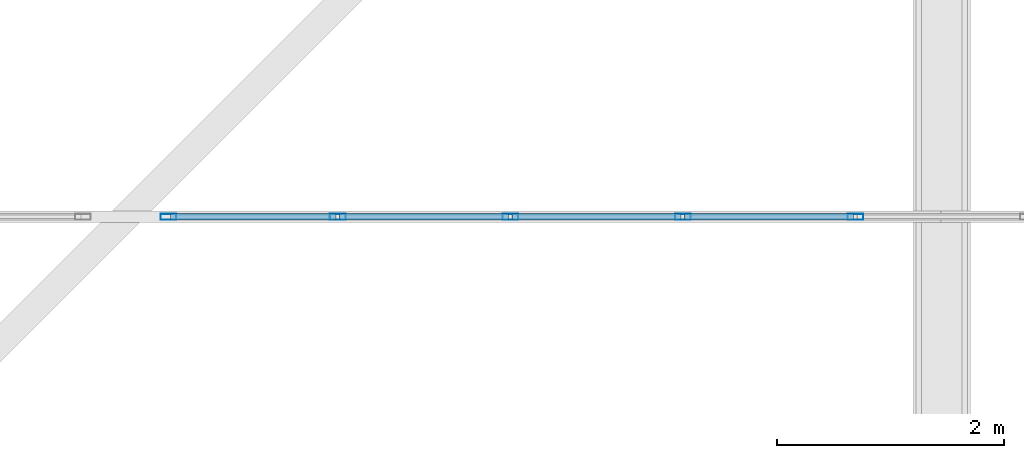
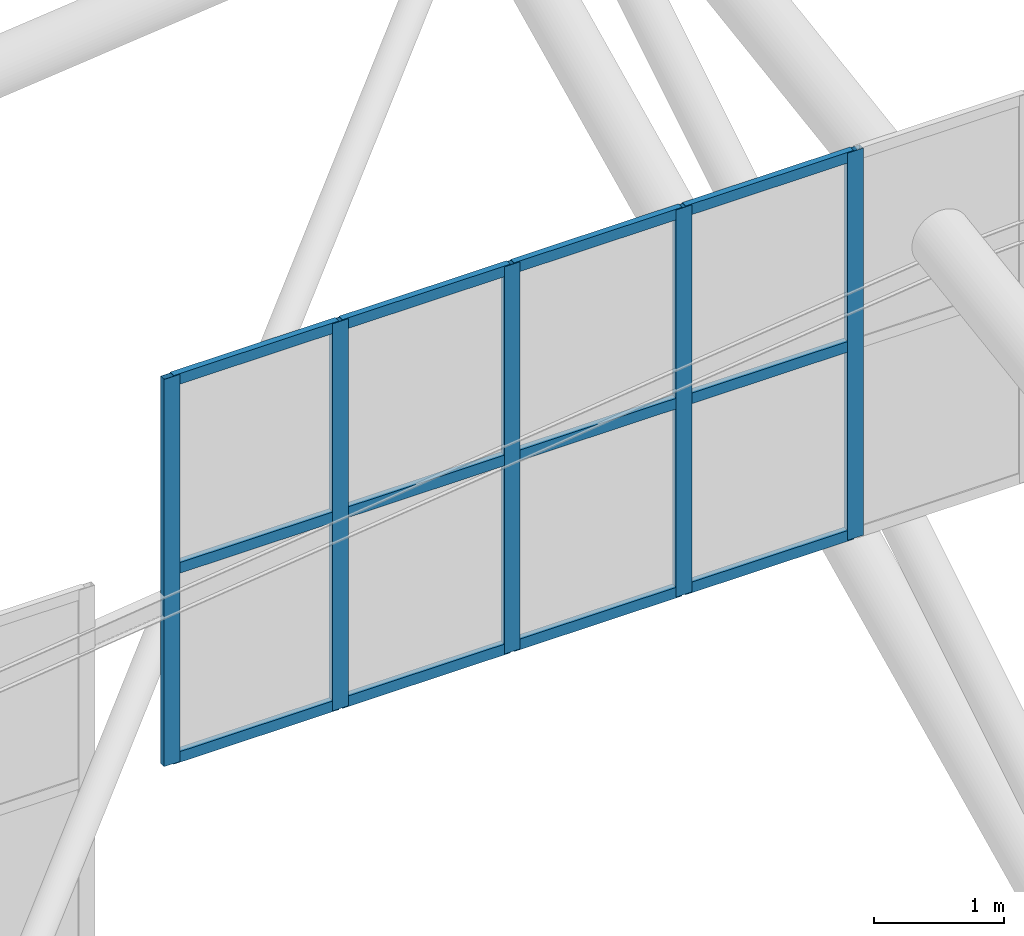
# One storey, part 32 of 397: 17 members, 1 element without a shape of its own.
"""IFC4 building model written with IfcOpenShell, lengths in metres."""

from ifc_helpers import new_model, si_unit, direction, frame, origin, origin_2d, place, context, subcontext, project, spatial, hollow_rectangle, extrude, material, material_profile, profile_set, type_object, element, aggregate, save


model = new_model("IFC4")

# Units and contexts
model_context = context("Model", 3, precision=1e-05, world=origin(), true_north=direction((0.0, 1.0)))
body_context = subcontext(model_context, "Body", "Model", "MODEL_VIEW")
ifc_project = project(units=[si_unit("LENGTHUNIT", "METRE"), si_unit("AREAUNIT", "SQUARE_METRE"), si_unit("VOLUMEUNIT", "CUBIC_METRE"), si_unit("PLANEANGLEUNIT", "RADIAN"), si_unit("MASSUNIT", "GRAM", prefix="KILO")], contexts=[model_context])

# Site, building, storey
site_placement = place(None, origin())
site = spatial("IfcSite", under=ifc_project, at=site_placement, CompositionType="ELEMENT")
building_placement = place(site_placement, origin())
building = spatial("IfcBuilding", under=site, at=building_placement, Name="Qandorah Velis Arena", CompositionType="ELEMENT")
storey_placement = place(building_placement, frame((0.0, 0.0, 27.5)))
storey = spatial("IfcBuildingStorey", under=building, at=storey_placement, Name="RF", CompositionType="ELEMENT", Elevation=27.5)

# Curtain wall, members
ifc_material_1 = material(Name="Solar-control low-E double glazing", Category="glass")
curtain_wall_type = type_object("IfcCurtainWallType", Name="ARC-CW-SYS20", PredefinedType="USERDEFINED", material=ifc_material_1)
curtain_wall_placement = place(storey_placement, origin())
curtain_wall = element("IfcCurtainWall", 1, at=curtain_wall_placement, inside=storey, type_object=curtain_wall_type, Name="Unitised curtain wall MON-3-2", ObjectType="UNITISED CURTAIN WALL", PredefinedType="USERDEFINED")
ifc_material_2 = material(Name="Champagne-bronze anodized aluminium 6063-T6", Category="aluminium")
ifc_material_profile_1 = material_profile(ifc_material_2, hollow_rectangle(XDim=0.054931640625, YDim=0.139892578125, WallThickness=0.0029296875, at=origin_2d()), Name="ALU MULLION 55x140")
ifc_profile_set_1 = profile_set([ifc_material_profile_1], Name="Champagne-bronze anodized aluminium 6063-T6")
member_type_1 = type_object("IfcMemberType", Name="ARC-CWM-140", PredefinedType="MULLION", material=ifc_profile_set_1)
member_1_placement = place(storey_placement, frame((36.37744140625, 21.60009765625, 5.337646484375), z_axis=(0.0, 0.0, 1.0), x_axis=(0.0, 1.0, 0.0)))
member_1 = element("IfcMember", 2, at=member_1_placement, type_object=member_type_1, Name="CW20 mullion 1", PredefinedType="MULLION", context=body_context, shape_type="SweptSolid", body=[
    extrude(hollow_rectangle(XDim=0.054931640625, YDim=0.139892578125, WallThickness=0.0029296875, at=origin_2d()), origin(), (0.0, 0.0, 1.0), 3.630126953125),
])
member_2_placement = place(storey_placement, frame((37.872314453125, 21.60009765625, 5.337646484375), z_axis=(0.0, 0.0, 1.0), x_axis=(0.0, 1.0, 0.0)))
member_2 = element("IfcMember", 3, at=member_2_placement, type_object=member_type_1, Name="CW20 mullion 2", PredefinedType="MULLION", context=body_context, shape_type="SweptSolid", body=[
    extrude(hollow_rectangle(XDim=0.054931640625, YDim=0.139892578125, WallThickness=0.0029296875, at=origin_2d()), origin(), (0.0, 0.0, 1.0), 3.630126953125),
])
member_3_placement = place(storey_placement, frame((39.39453125, 21.60009765625, 5.337646484375), z_axis=(0.0, 0.0, 1.0), x_axis=(0.0, 1.0, 0.0)))
member_3 = element("IfcMember", 4, at=member_3_placement, type_object=member_type_1, Name="CW20 mullion 3", PredefinedType="MULLION", context=body_context, shape_type="SweptSolid", body=[
    extrude(hollow_rectangle(XDim=0.054931640625, YDim=0.139892578125, WallThickness=0.0029296875, at=origin_2d()), origin(), (0.0, 0.0, 1.0), 3.630126953125),
])
member_4_placement = place(storey_placement, frame((40.916748046875, 21.60009765625, 5.337646484375), z_axis=(0.0, 0.0, 1.0), x_axis=(0.0, 1.0, 0.0)))
member_4 = element("IfcMember", 5, at=member_4_placement, type_object=member_type_1, Name="CW20 mullion 4", PredefinedType="MULLION", context=body_context, shape_type="SweptSolid", body=[
    extrude(hollow_rectangle(XDim=0.054931640625, YDim=0.139892578125, WallThickness=0.0029296875, at=origin_2d()), origin(), (0.0, 0.0, 1.0), 3.630126953125),
])
member_5_placement = place(storey_placement, frame((42.43896484375, 21.60009765625, 5.337646484375), z_axis=(0.0, 0.0, 1.0), x_axis=(0.0, 1.0, 0.0)))
member_5 = element("IfcMember", 6, at=member_5_placement, type_object=member_type_1, Name="CW20 mullion 5", PredefinedType="MULLION", context=body_context, shape_type="SweptSolid", body=[
    extrude(hollow_rectangle(XDim=0.054931640625, YDim=0.139892578125, WallThickness=0.0029296875, at=origin_2d()), origin(), (0.0, 0.0, 1.0), 3.630126953125),
])
ifc_material_profile_2 = material_profile(ifc_material_2, hollow_rectangle(XDim=0.054931640625, YDim=0.10009765625, WallThickness=0.0029296875, at=origin_2d()), Name="ALU TRANSOM 55x100")
ifc_profile_set_2 = profile_set([ifc_material_profile_2], Name="Champagne-bronze anodized aluminium 6063-T6")
member_type_2 = type_object("IfcMemberType", Name="ARC-CWT-100", PredefinedType="USERDEFINED", material=ifc_profile_set_2)
member_6_placement = place(storey_placement, frame((36.39306640625, 21.60009765625, 5.380126953125), z_axis=(1.0, 0.0, 0.0), x_axis=(0.0, 1.0, 0.0)))
member_6 = element("IfcMember", 7, at=member_6_placement, type_object=member_type_2, Name="CW20 transom 1.1", ObjectType="TRANSOM", PredefinedType="USERDEFINED", context=body_context, shape_type="SweptSolid", body=[
    extrude(hollow_rectangle(XDim=0.054931640625, YDim=0.10009765625, WallThickness=0.0029296875, at=origin_2d()), origin(), (0.0, 0.0, 1.0), 1.463623046875),
])
member_7_placement = place(storey_placement, frame((36.39306640625, 21.60009765625, 7.152587890625), z_axis=(1.0, 0.0, 0.0), x_axis=(0.0, 1.0, 0.0)))
member_7 = element("IfcMember", 8, at=member_7_placement, type_object=member_type_2, Name="CW20 transom 1.2", ObjectType="TRANSOM", PredefinedType="USERDEFINED", context=body_context, shape_type="SweptSolid", body=[
    extrude(hollow_rectangle(XDim=0.054931640625, YDim=0.10009765625, WallThickness=0.0029296875, at=origin_2d()), origin(), (0.0, 0.0, 1.0), 1.463623046875),
])
member_8_placement = place(storey_placement, frame((36.39306640625, 21.60009765625, 8.92529296875), z_axis=(1.0, 0.0, 0.0), x_axis=(0.0, 1.0, 0.0)))
member_8 = element("IfcMember", 9, at=member_8_placement, type_object=member_type_2, Name="CW20 transom 1.3", ObjectType="TRANSOM", PredefinedType="USERDEFINED", context=body_context, shape_type="SweptSolid", body=[
    extrude(hollow_rectangle(XDim=0.054931640625, YDim=0.10009765625, WallThickness=0.0029296875, at=origin_2d()), origin(), (0.0, 0.0, 1.0), 1.463623046875),
])
member_9_placement = place(storey_placement, frame((37.8876953125, 21.60009765625, 5.380126953125), z_axis=(1.0, 0.0, 0.0), x_axis=(0.0, 1.0, 0.0)))
member_9 = element("IfcMember", 10, at=member_9_placement, type_object=member_type_2, Name="CW20 transom 2.1", ObjectType="TRANSOM", PredefinedType="USERDEFINED", context=body_context, shape_type="SweptSolid", body=[
    extrude(hollow_rectangle(XDim=0.054931640625, YDim=0.10009765625, WallThickness=0.0029296875, at=origin_2d()), origin(), (0.0, 0.0, 1.0), 1.4912109375),
])
member_10_placement = place(storey_placement, frame((37.8876953125, 21.60009765625, 7.152587890625), z_axis=(1.0, 0.0, 0.0), x_axis=(0.0, 1.0, 0.0)))
member_10 = element("IfcMember", 11, at=member_10_placement, type_object=member_type_2, Name="CW20 transom 2.2", ObjectType="TRANSOM", PredefinedType="USERDEFINED", context=body_context, shape_type="SweptSolid", body=[
    extrude(hollow_rectangle(XDim=0.054931640625, YDim=0.10009765625, WallThickness=0.0029296875, at=origin_2d()), origin(), (0.0, 0.0, 1.0), 1.4912109375),
])
member_11_placement = place(storey_placement, frame((37.8876953125, 21.60009765625, 8.92529296875), z_axis=(1.0, 0.0, 0.0), x_axis=(0.0, 1.0, 0.0)))
member_11 = element("IfcMember", 12, at=member_11_placement, type_object=member_type_2, Name="CW20 transom 2.3", ObjectType="TRANSOM", PredefinedType="USERDEFINED", context=body_context, shape_type="SweptSolid", body=[
    extrude(hollow_rectangle(XDim=0.054931640625, YDim=0.10009765625, WallThickness=0.0029296875, at=origin_2d()), origin(), (0.0, 0.0, 1.0), 1.4912109375),
])
member_12_placement = place(storey_placement, frame((39.409912109375, 21.60009765625, 5.380126953125), z_axis=(1.0, 0.0, 0.0), x_axis=(0.0, 1.0, 0.0)))
member_12 = element("IfcMember", 13, at=member_12_placement, type_object=member_type_2, Name="CW20 transom 3.1", ObjectType="TRANSOM", PredefinedType="USERDEFINED", context=body_context, shape_type="SweptSolid", body=[
    extrude(hollow_rectangle(XDim=0.054931640625, YDim=0.10009765625, WallThickness=0.0029296875, at=origin_2d()), origin(), (0.0, 0.0, 1.0), 1.4912109375),
])
member_13_placement = place(storey_placement, frame((39.409912109375, 21.60009765625, 7.152587890625), z_axis=(1.0, 0.0, 0.0), x_axis=(0.0, 1.0, 0.0)))
member_13 = element("IfcMember", 14, at=member_13_placement, type_object=member_type_2, Name="CW20 transom 3.2", ObjectType="TRANSOM", PredefinedType="USERDEFINED", context=body_context, shape_type="SweptSolid", body=[
    extrude(hollow_rectangle(XDim=0.054931640625, YDim=0.10009765625, WallThickness=0.0029296875, at=origin_2d()), origin(), (0.0, 0.0, 1.0), 1.4912109375),
])
member_14_placement = place(storey_placement, frame((39.409912109375, 21.60009765625, 8.92529296875), z_axis=(1.0, 0.0, 0.0), x_axis=(0.0, 1.0, 0.0)))
member_14 = element("IfcMember", 15, at=member_14_placement, type_object=member_type_2, Name="CW20 transom 3.3", ObjectType="TRANSOM", PredefinedType="USERDEFINED", context=body_context, shape_type="SweptSolid", body=[
    extrude(hollow_rectangle(XDim=0.054931640625, YDim=0.10009765625, WallThickness=0.0029296875, at=origin_2d()), origin(), (0.0, 0.0, 1.0), 1.4912109375),
])
member_15_placement = place(storey_placement, frame((40.93212890625, 21.60009765625, 5.380126953125), z_axis=(1.0, 0.0, 0.0), x_axis=(0.0, 1.0, 0.0)))
member_15 = element("IfcMember", 16, at=member_15_placement, type_object=member_type_2, Name="CW20 transom 4.1", ObjectType="TRANSOM", PredefinedType="USERDEFINED", context=body_context, shape_type="SweptSolid", body=[
    extrude(hollow_rectangle(XDim=0.054931640625, YDim=0.10009765625, WallThickness=0.0029296875, at=origin_2d()), origin(), (0.0, 0.0, 1.0), 1.4912109375),
])
member_16_placement = place(storey_placement, frame((40.93212890625, 21.60009765625, 7.152587890625), z_axis=(1.0, 0.0, 0.0), x_axis=(0.0, 1.0, 0.0)))
member_16 = element("IfcMember", 17, at=member_16_placement, type_object=member_type_2, Name="CW20 transom 4.2", ObjectType="TRANSOM", PredefinedType="USERDEFINED", context=body_context, shape_type="SweptSolid", body=[
    extrude(hollow_rectangle(XDim=0.054931640625, YDim=0.10009765625, WallThickness=0.0029296875, at=origin_2d()), origin(), (0.0, 0.0, 1.0), 1.4912109375),
])
member_17_placement = place(storey_placement, frame((40.93212890625, 21.60009765625, 8.92529296875), z_axis=(1.0, 0.0, 0.0), x_axis=(0.0, 1.0, 0.0)))
member_17 = element("IfcMember", 18, at=member_17_placement, type_object=member_type_2, Name="CW20 transom 4.3", ObjectType="TRANSOM", PredefinedType="USERDEFINED", context=body_context, shape_type="SweptSolid", body=[
    extrude(hollow_rectangle(XDim=0.054931640625, YDim=0.10009765625, WallThickness=0.0029296875, at=origin_2d()), origin(), (0.0, 0.0, 1.0), 1.4912109375),
])
aggregate(curtain_wall, [member_1, member_2, member_3, member_4, member_5, member_6, member_7, member_8, member_9, member_10, member_11, member_12, member_13, member_14, member_15, member_16, member_17])

save(model, "model.ifc")
